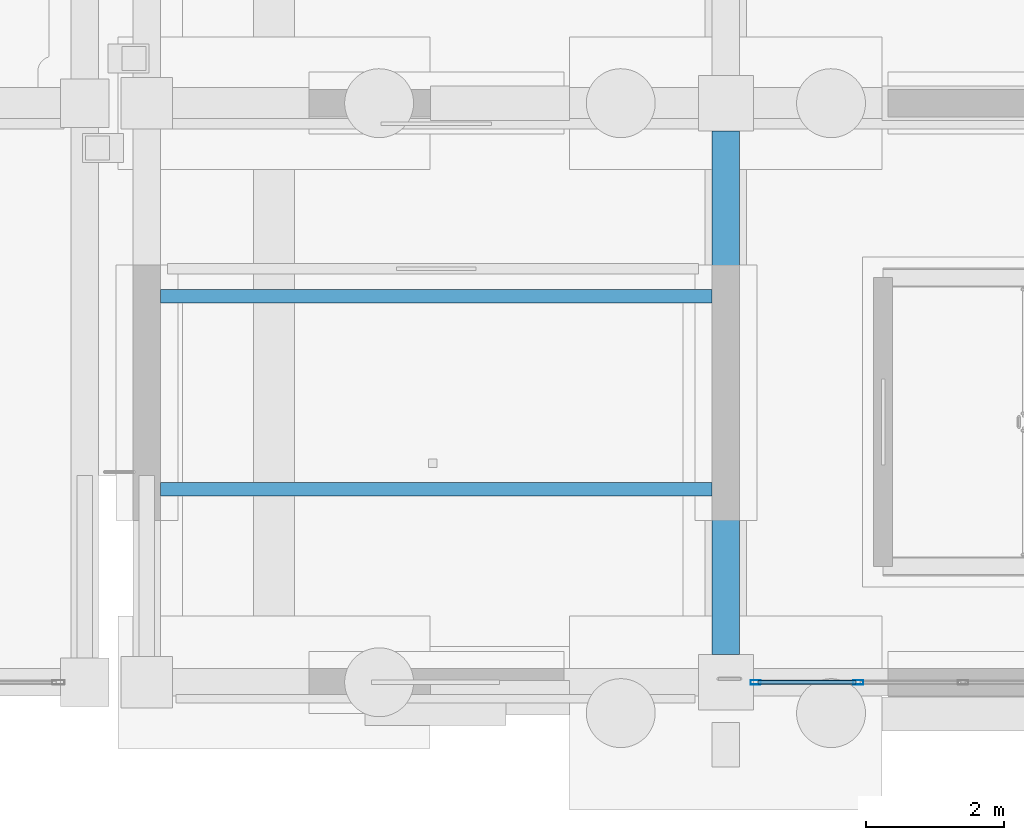
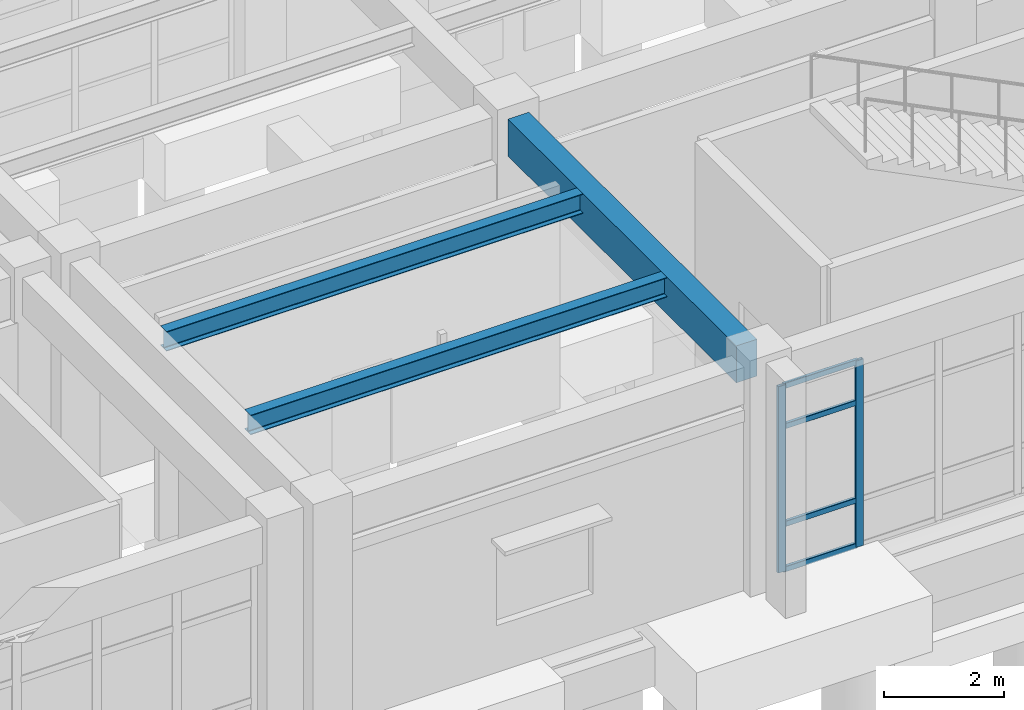
# One storey, part 23 of 111: 6 members, 3 beams, 1 element without a shape of its own.
"""IFC4 building model written with IfcOpenShell, lengths in metres."""

from ifc_helpers import new_model, si_unit, direction, frame, origin, origin_2d, place, context, subcontext, project, spatial, rectangle, hollow_rectangle, i_section, extrude, material, material_profile, profile_set, type_object, element, aggregate, save


model = new_model("IFC4")

# Units and contexts
model_context = context("Model", 3, precision=1e-05, world=origin(), true_north=direction((0.0, 1.0)))
body_context = subcontext(model_context, "Body", "Model", "MODEL_VIEW")
ifc_project = project(units=[si_unit("LENGTHUNIT", "METRE"), si_unit("AREAUNIT", "SQUARE_METRE"), si_unit("VOLUMEUNIT", "CUBIC_METRE"), si_unit("PLANEANGLEUNIT", "RADIAN"), si_unit("MASSUNIT", "GRAM", prefix="KILO")], contexts=[model_context])

# Site, building, storey
site_placement = place(None, origin())
site = spatial("IfcSite", under=ifc_project, at=site_placement, CompositionType="ELEMENT")
building_placement = place(site_placement, origin())
building = spatial("IfcBuilding", under=site, at=building_placement, Name="Canglan Escarpment Cableway Terminal", CompositionType="ELEMENT")
storey_placement = place(building_placement, frame((0.0, 0.0, 4.800048828125)))
storey = spatial("IfcBuildingStorey", under=building, at=storey_placement, Name="L01", CompositionType="ELEMENT", Elevation=4.800048828125)

# Beam
ifc_material_1 = material(Name="Concrete C40", Category="concrete")
ifc_material_profile_1 = material_profile(ifc_material_1, rectangle(XDim=0.39990234375, YDim=0.75, at=origin_2d()), Name="RC 400x750")
ifc_profile_set_1 = profile_set([ifc_material_profile_1], Name="Concrete C40")
beam_type_1 = type_object("IfcBeamType", Name="BM-RC400x750", PredefinedType="BEAM", material=ifc_profile_set_1)
beam_placement = place(storey_placement, frame((85.39990234375, 8.39990234375, 4.175048828125), z_axis=(0.0, 1.0, 0.0), x_axis=(-1.0, 0.0, 0.0)))
element("IfcBeam", 1, at=beam_placement, inside=storey, type_object=beam_type_1, Name="Primary transverse girder B-03", PredefinedType="BEAM", context=body_context, shape_type="SweptSolid", body=[
    extrude(rectangle(XDim=0.39990234375, YDim=0.75, at=origin_2d()), origin(), (0.0, 0.0, 1.0), 7.60009765625),
])

# Curtain wall, members
ifc_material_2 = material(Name="Anodized bronze aluminium and Low-E double glazing", Category="aluminium")
curtain_wall_type = type_object("IfcCurtainWallType", Name="CW-BAY-7600x3775", PredefinedType="NOTDEFINED", material=ifc_material_2)
curtain_wall_placement = place(storey_placement, origin())
curtain_wall = element("IfcCurtainWall", 2, at=curtain_wall_placement, inside=storey, type_object=curtain_wall_type, Name="Classical bay-between-piers glazed curtain wall CW-09", PredefinedType="NOTDEFINED")
ifc_material_3 = material(Name="Thermally broken anodized aluminium 6063-T6", Category="aluminium")
ifc_material_profile_2 = material_profile(ifc_material_3, hollow_rectangle(XDim=0.06494140625, YDim=0.14990234375, WallThickness=0.00341796875, InnerFilletRadius=0.00341796875, OuterFilletRadius=0.007080078125, at=origin_2d()), Name="ALU-MULL 65x150x3.5")
ifc_profile_set_2 = profile_set([ifc_material_profile_2], Name="Thermally broken anodized aluminium 6063-T6")
member_type_1 = type_object("IfcMemberType", Name="CWM-02", PredefinedType="MULLION", material=ifc_profile_set_2)
member_1_placement = place(storey_placement, frame((85.83251953125, 8.0, 0.0), z_axis=(0.0, 0.0, 1.0), x_axis=(0.0, 1.0, 0.0)))
member_1 = element("IfcMember", 3, at=member_1_placement, type_object=member_type_1, Name="CW-09 mullion 1", PredefinedType="MULLION", context=body_context, shape_type="SweptSolid", body=[
    extrude(hollow_rectangle(XDim=0.06494140625, YDim=0.14990234375, WallThickness=0.00341796875, InnerFilletRadius=0.00341796875, OuterFilletRadius=0.007080078125, at=origin_2d()), origin(), (0.0, 0.0, 1.0), 3.784912109375),
])
member_2_placement = place(storey_placement, frame((87.320068359375, 8.0, 0.0), z_axis=(0.0, 0.0, 1.0), x_axis=(0.0, 1.0, 0.0)))
member_2 = element("IfcMember", 4, at=member_2_placement, type_object=member_type_1, Name="CW-09 mullion 2", PredefinedType="MULLION", context=body_context, shape_type="SweptSolid", body=[
    extrude(hollow_rectangle(XDim=0.06494140625, YDim=0.14990234375, WallThickness=0.00341796875, InnerFilletRadius=0.00341796875, OuterFilletRadius=0.007080078125, at=origin_2d()), origin(), (0.0, 0.0, 1.0), 3.784912109375),
])
ifc_material_profile_3 = material_profile(ifc_material_3, hollow_rectangle(XDim=0.06005859375, YDim=0.110107421875, WallThickness=0.0029296875, InnerFilletRadius=0.0029296875, OuterFilletRadius=0.006103515625, at=origin_2d()), Name="ALU-TRAN 60x110x3")
ifc_profile_set_3 = profile_set([ifc_material_profile_3], Name="Thermally broken anodized aluminium 6063-T6")
member_type_2 = type_object("IfcMemberType", Name="CWT-02", PredefinedType="USERDEFINED", material=ifc_profile_set_3)
member_3_placement = place(storey_placement, frame((85.864990234375, 8.0, 0.030029296875), z_axis=(1.0, 0.0, 0.0), x_axis=(0.0, 1.0, 0.0)))
member_3 = element("IfcMember", 5, at=member_3_placement, type_object=member_type_2, Name="CW-09 transom 1.1", ObjectType="TRANSOM", PredefinedType="USERDEFINED", context=body_context, shape_type="SweptSolid", body=[
    extrude(hollow_rectangle(XDim=0.06005859375, YDim=0.110107421875, WallThickness=0.0029296875, InnerFilletRadius=0.0029296875, OuterFilletRadius=0.006103515625, at=origin_2d()), origin(), (0.0, 0.0, 1.0), 1.422607421875),
])
member_4_placement = place(storey_placement, frame((85.864990234375, 8.0, 0.949951171875), z_axis=(1.0, 0.0, 0.0), x_axis=(0.0, 1.0, 0.0)))
member_4 = element("IfcMember", 6, at=member_4_placement, type_object=member_type_2, Name="CW-09 transom 1.2", ObjectType="TRANSOM", PredefinedType="USERDEFINED", context=body_context, shape_type="SweptSolid", body=[
    extrude(hollow_rectangle(XDim=0.06005859375, YDim=0.110107421875, WallThickness=0.0029296875, InnerFilletRadius=0.0029296875, OuterFilletRadius=0.006103515625, at=origin_2d()), origin(), (0.0, 0.0, 1.0), 1.422607421875),
])
member_5_placement = place(storey_placement, frame((85.864990234375, 8.0, 2.93505859375), z_axis=(1.0, 0.0, 0.0), x_axis=(0.0, 1.0, 0.0)))
member_5 = element("IfcMember", 7, at=member_5_placement, type_object=member_type_2, Name="CW-09 transom 1.3", ObjectType="TRANSOM", PredefinedType="USERDEFINED", context=body_context, shape_type="SweptSolid", body=[
    extrude(hollow_rectangle(XDim=0.06005859375, YDim=0.110107421875, WallThickness=0.0029296875, InnerFilletRadius=0.0029296875, OuterFilletRadius=0.006103515625, at=origin_2d()), origin(), (0.0, 0.0, 1.0), 1.422607421875),
])
member_6_placement = place(storey_placement, frame((85.864990234375, 8.0, 3.7548828125), z_axis=(1.0, 0.0, 0.0), x_axis=(0.0, 1.0, 0.0)))
member_6 = element("IfcMember", 8, at=member_6_placement, type_object=member_type_2, Name="CW-09 transom 1.4", ObjectType="TRANSOM", PredefinedType="USERDEFINED", context=body_context, shape_type="SweptSolid", body=[
    extrude(hollow_rectangle(XDim=0.06005859375, YDim=0.110107421875, WallThickness=0.0029296875, InnerFilletRadius=0.0029296875, OuterFilletRadius=0.006103515625, at=origin_2d()), origin(), (0.0, 0.0, 1.0), 1.422607421875),
])
aggregate(curtain_wall, [member_1, member_2, member_3, member_4, member_5, member_6])

# Beams
ifc_material_4 = material(Name="Steel Q355B", Category="steel")
ifc_material_profile_4 = material_profile(ifc_material_4, i_section(OverallWidth=0.199951171875, OverallDepth=0.39990234375, WebThickness=0.008056640625, FlangeThickness=0.012939453125, FilletRadius=0.01611328125, at=origin_2d()), Name="HN 400x200x8x13")
ifc_profile_set_4 = profile_set([ifc_material_profile_4], Name="Steel Q355B")
beam_type_2 = type_object("IfcBeamType", Name="JS-HN400", PredefinedType="JOIST", material=ifc_profile_set_4)
for number, where, z_axis, x_axis, name in (
    (9, (77.199951171875, 10.800048828125, 4.349853515625), (1.0, 0.0, 0.0), (0.0, 1.0, 0.0), "Secondary composite deck joist J-03"),
    (10, (77.199951171875, 13.60009765625, 4.349853515625), (1.0, 0.0, 0.0), (0.0, 1.0, 0.0), "Secondary composite deck joist J-03"),
):
    element("IfcBeam", number, at=place(storey_placement, frame(where, z_axis=z_axis, x_axis=x_axis)), inside=storey, type_object=beam_type_2, Name=name, PredefinedType="JOIST", context=body_context, shape_type="SweptSolid", body=[
        extrude(i_section(OverallWidth=0.199951171875, OverallDepth=0.39990234375, WebThickness=0.008056640625, FlangeThickness=0.012939453125, FilletRadius=0.01611328125, at=origin_2d()), origin(), (0.0, 0.0, 1.0), 8.0),
    ])

save(model, "model.ifc")
